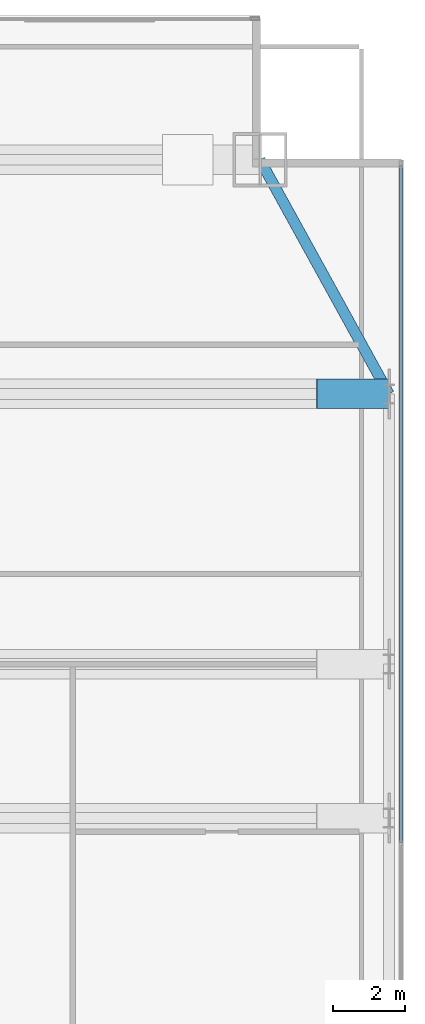
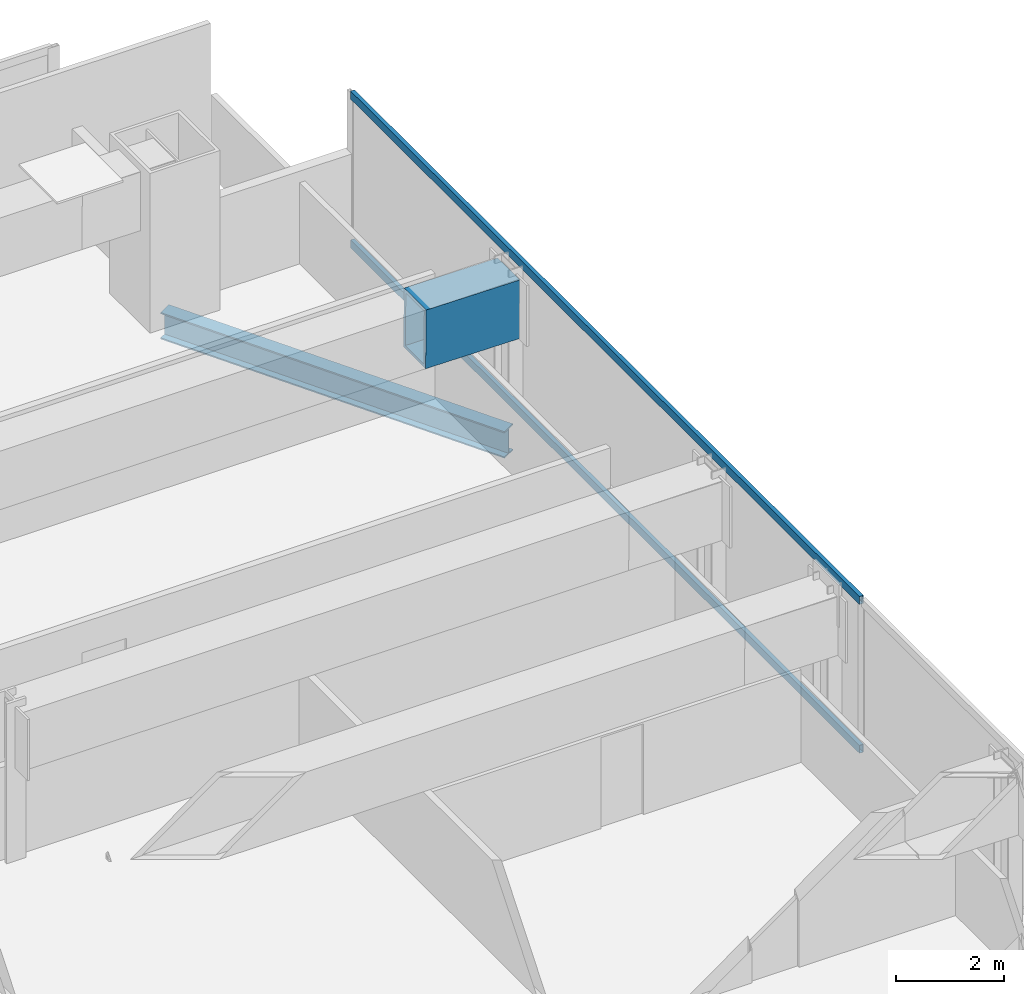
# One storey, part 22 of 30: 2 beams, 2 members, 1 element without a shape of its own.
"""IFC4 building model written with IfcOpenShell, lengths in metres."""

from ifc_helpers import new_model, si_unit, direction, frame, origin, origin_2d, place, context, subcontext, project, spatial, hollow_rectangle, i_section, extrude, material, material_profile, profile_set, type_object, element, aggregate, save


model = new_model("IFC4")

# Units and contexts
model_context = context("Model", 3, precision=1e-05, world=origin(), true_north=direction((0.0, 1.0)))
body_context = subcontext(model_context, "Body", "Model", "MODEL_VIEW")
ifc_project = project(units=[si_unit("LENGTHUNIT", "METRE"), si_unit("AREAUNIT", "SQUARE_METRE"), si_unit("VOLUMEUNIT", "CUBIC_METRE"), si_unit("PLANEANGLEUNIT", "RADIAN"), si_unit("MASSUNIT", "GRAM", prefix="KILO")], contexts=[model_context])

# Site, building, storey
site_placement = place(None, origin())
site = spatial("IfcSite", under=ifc_project, at=site_placement, CompositionType="ELEMENT")
building_placement = place(site_placement, origin())
building = spatial("IfcBuilding", under=site, at=building_placement, Name="Khoronbel Lancet Exchange", CompositionType="ELEMENT")
storey_placement = place(building_placement, frame((0.0, 0.0, 132.60009765625)))
storey = spatial("IfcBuildingStorey", under=building, at=storey_placement, Name="L32", CompositionType="ELEMENT", Elevation=132.60009765625)

# Beams
ifc_material_1 = material(Name="Steel S355", Category="steel")
ifc_material_profile_1 = material_profile(ifc_material_1, i_section(OverallWidth=0.300048828125, OverallDepth=0.60009765625, WebThickness=0.015380859375, FlangeThickness=0.030029296875, at=origin_2d()), Name="HEB 600")
ifc_profile_set_1 = profile_set([ifc_material_profile_1], Name="Steel S355")
beam_type_1 = type_object("IfcBeamType", Name="BM-BSP2", PredefinedType="SPANDREL", material=ifc_profile_set_1)
beam_1_placement = place(storey_placement, frame((69.6298828125, 43.199951171875, -0.460205078125), z_axis=(-0.482418808117, 0.875940690672, 0.0), x_axis=(-0.875940690672, -0.482418808117, 0.0)))
element("IfcBeam", 1, at=beam_1_placement, inside=storey, type_object=beam_type_1, Name="Level L32 perimeter spandrel beam SP15", PredefinedType="SPANDREL", context=body_context, shape_type="SweptSolid", body=[
    extrude(i_section(OverallWidth=0.300048828125, OverallDepth=0.60009765625, WebThickness=0.015380859375, FlangeThickness=0.030029296875, at=origin_2d()), origin(), (0.0, 0.0, 1.0), 7.420654296875),
])
ifc_material_2 = material(Name="Steel S460", Category="steel")
ifc_material_profile_2 = material_profile(ifc_material_2, hollow_rectangle(XDim=0.820068359375, YDim=1.320068359375, WallThickness=0.070068359375, at=origin_2d()), Name="BOX 820x1320x70")
ifc_profile_set_2 = profile_set([ifc_material_profile_2], Name="Steel S460")
beam_type_2 = type_object("IfcBeamType", Name="BM-TG4", PredefinedType="USERDEFINED", material=ifc_profile_set_2)
beam_2_placement = place(storey_placement, frame((69.6298828125, 43.199951171875, 2.760009765625), z_axis=(-0.999951120325, 0.0, 0.009887212005), x_axis=(0.0, -1.0, 0.0)))
element("IfcBeam", 2, at=beam_2_placement, inside=storey, type_object=beam_type_2, Name="Setback transfer knee-brace girder L32-EC-4", ObjectType="TRANSFER GIRDER", PredefinedType="USERDEFINED", context=body_context, shape_type="SweptSolid", body=[
    extrude(hollow_rectangle(XDim=0.820068359375, YDim=1.320068359375, WallThickness=0.070068359375, at=origin_2d()), origin(), (0.0, 0.0, 1.0), 2.0),
])

# Curtain wall, members
ifc_material_3 = material(Name="Low-E Solar Control Insulating Glass", Category="glass")
curtain_wall_type = type_object("IfcCurtainWallType", Name="CW-4", PredefinedType="NOTDEFINED", material=ifc_material_3)
curtain_wall_placement = place(storey_placement, origin())
curtain_wall = element("IfcCurtainWall", 3, at=curtain_wall_placement, inside=storey, type_object=curtain_wall_type, Name="Unitised curtain wall CW-L32-E09", PredefinedType="NOTDEFINED")
ifc_material_4 = material(Name="Bronze-Anodised Aluminium 6063-T6", Category="aluminium")
ifc_material_profile_3 = material_profile(ifc_material_4, hollow_rectangle(XDim=0.0849609375, YDim=0.179931640625, WallThickness=0.0048828125, at=origin_2d()), Name="ALU TRANSOM 85x180")
ifc_profile_set_3 = profile_set([ifc_material_profile_3], Name="Bronze-Anodised Aluminium 6063-T6")
member_type = type_object("IfcMemberType", Name="MEM-CWT1", PredefinedType="USERDEFINED", material=ifc_profile_set_3)
member_1_placement = place(storey_placement, frame((69.9599609375, 49.534912109375, 0.04248046875), z_axis=(0.0, -1.0, 0.0), x_axis=(1.0, 0.0, 0.0)))
member_1 = element("IfcMember", 4, at=member_1_placement, type_object=member_type, Name="CW4 transom 1.1", ObjectType="TRANSOM", PredefinedType="USERDEFINED", context=body_context, shape_type="SweptSolid", body=[
    extrude(hollow_rectangle(XDim=0.0849609375, YDim=0.179931640625, WallThickness=0.0048828125, at=origin_2d()), origin(), (0.0, 0.0, 1.0), 18.79736328125),
])
member_2_placement = place(storey_placement, frame((69.9599609375, 49.534912109375, 3.3974609375), z_axis=(0.0, -1.0, 0.0), x_axis=(1.0, 0.0, 0.0)))
member_2 = element("IfcMember", 5, at=member_2_placement, type_object=member_type, Name="CW4 transom 1.2", ObjectType="TRANSOM", PredefinedType="USERDEFINED", context=body_context, shape_type="SweptSolid", body=[
    extrude(hollow_rectangle(XDim=0.0849609375, YDim=0.179931640625, WallThickness=0.0048828125, at=origin_2d()), origin(), (0.0, 0.0, 1.0), 18.79736328125),
])
aggregate(curtain_wall, [member_1, member_2])

save(model, "model.ifc")
